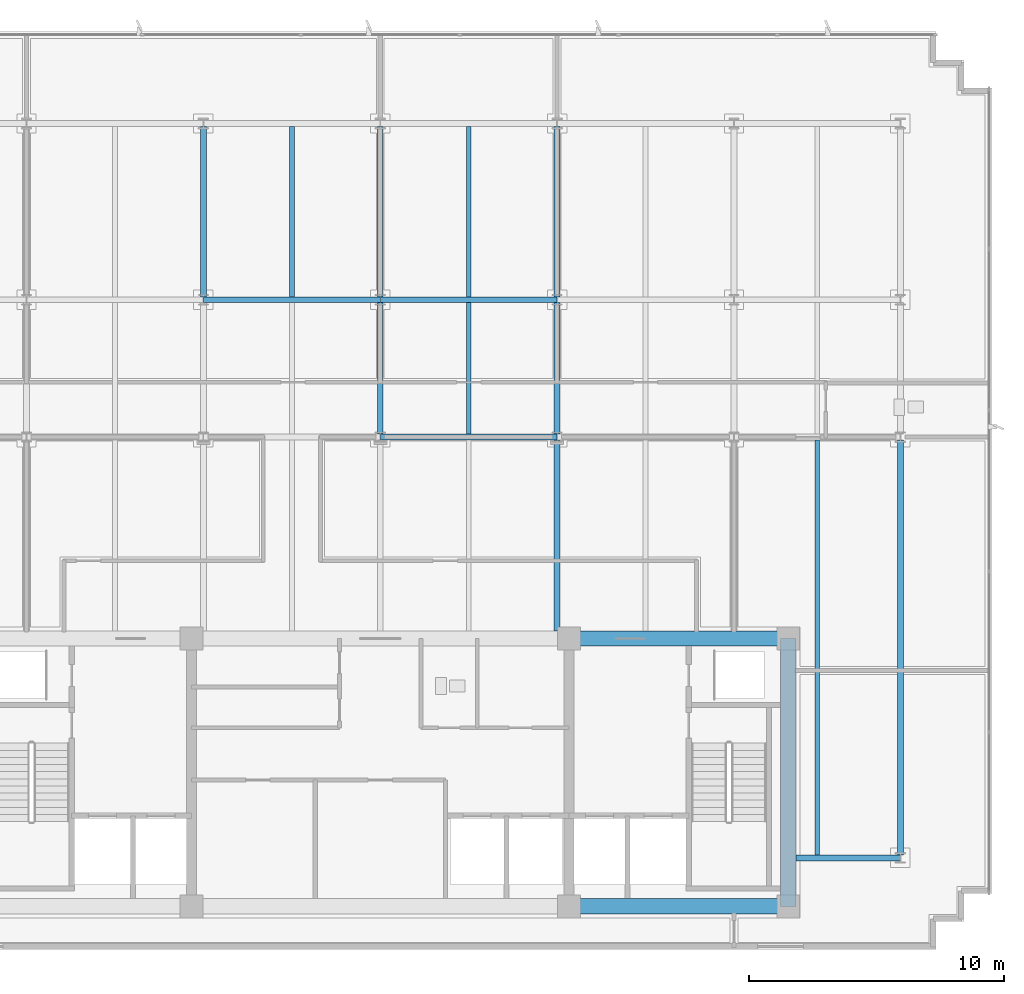
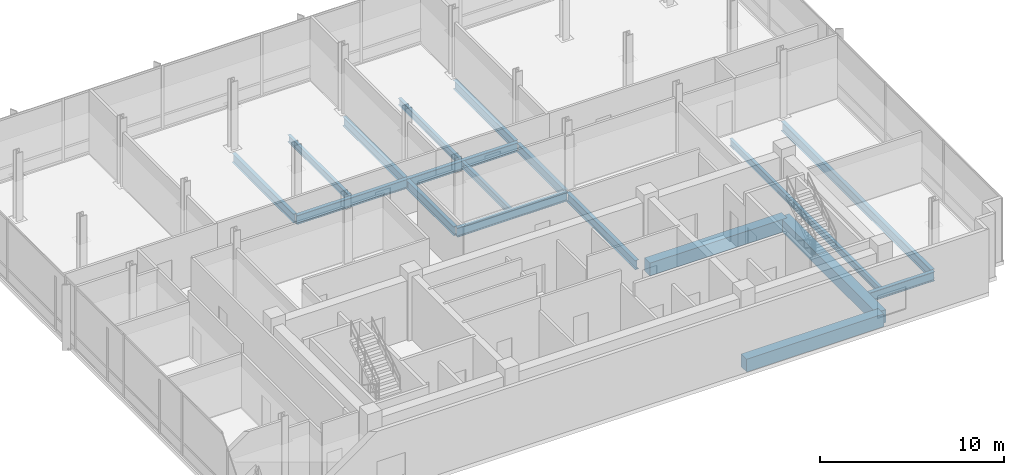
# One storey, part 5 of 17: 18 beams.
"""IFC4 building model written with IfcOpenShell, lengths in metres."""

from ifc_helpers import new_model, si_unit, direction, frame, origin, origin_2d, place, context, subcontext, project, spatial, rectangle, i_section, extrude, material, material_profile, profile_set, type_object, element, save


model = new_model("IFC4")

# Units and contexts
model_context = context("Model", 3, precision=1e-05, world=origin(), true_north=direction((0.0, 1.0)))
body_context = subcontext(model_context, "Body", "Model", "MODEL_VIEW")
ifc_project = project(units=[si_unit("LENGTHUNIT", "METRE"), si_unit("AREAUNIT", "SQUARE_METRE"), si_unit("VOLUMEUNIT", "CUBIC_METRE"), si_unit("PLANEANGLEUNIT", "RADIAN"), si_unit("MASSUNIT", "GRAM", prefix="KILO")], contexts=[model_context])

# Site, building, storey
site_placement = place(None, origin())
site = spatial("IfcSite", under=ifc_project, at=site_placement, CompositionType="ELEMENT")
building_placement = place(site_placement, origin())
building = spatial("IfcBuilding", under=site, at=building_placement, Name="Solmavex Isthmus Hotel", CompositionType="ELEMENT")
storey_placement = place(building_placement, frame((0.0, 0.0, 286.800048828125)))
storey = spatial("IfcBuildingStorey", under=building, at=storey_placement, Name="L78", CompositionType="ELEMENT", Elevation=286.800048828125)

# Beams
ifc_material_1 = material(Name="Steel ASTM A992 Grade 50", Category="steel")
ifc_material_profile_1 = material_profile(ifc_material_1, i_section(OverallWidth=0.1904296875, OverallDepth=0.456787109375, WebThickness=0.009033203125, FlangeThickness=0.014404296875, FilletRadius=0.0126953125, at=origin_2d()), Name="W18X50")
ifc_profile_set_1 = profile_set([ifc_material_profile_1], Name="Steel ASTM A992 Grade 50")
beam_type_1 = type_object("IfcBeamType", Name="BM-BJ-W18X50", PredefinedType="JOIST", material=ifc_profile_set_1)
beam_1_placement = place(storey_placement, frame((-3.468017578125, 10.90185546875, -0.488525390625), z_axis=(0.0, 1.0, 0.0), x_axis=(-1.0, 0.0, 0.0)))
element("IfcBeam", 1, at=beam_1_placement, inside=storey, type_object=beam_type_1, Name="Secondary Floor Joist L78-J09", PredefinedType="JOIST", context=body_context, shape_type="SweptSolid", body=[
    extrude(i_section(OverallWidth=0.1904296875, OverallDepth=0.456787109375, WebThickness=0.009033203125, FlangeThickness=0.014404296875, FilletRadius=0.0126953125, at=origin_2d()), origin(), (0.0, 0.0, 1.0), 6.682861328125),
])
beam_2_placement = place(storey_placement, frame((3.468017578125, 5.513916015625, -0.488525390625), z_axis=(0.0, 1.0, 0.0), x_axis=(-1.0, 0.0, 0.0)))
element("IfcBeam", 2, at=beam_2_placement, inside=storey, type_object=beam_type_1, Name="Secondary Floor Joist L78-J11", PredefinedType="JOIST", context=body_context, shape_type="SweptSolid", body=[
    extrude(i_section(OverallWidth=0.1904296875, OverallDepth=0.456787109375, WebThickness=0.009033203125, FlangeThickness=0.014404296875, FilletRadius=0.0126953125, at=origin_2d()), origin(), (0.0, 0.0, 1.0), 5.16015625),
])
beam_3_placement = place(storey_placement, frame((3.468017578125, 10.90185546875, -0.488525390625), z_axis=(0.0, 1.0, 0.0), x_axis=(-1.0, 0.0, 0.0)))
element("IfcBeam", 3, at=beam_3_placement, inside=storey, type_object=beam_type_1, Name="Secondary Floor Joist L78-J12", PredefinedType="JOIST", context=body_context, shape_type="SweptSolid", body=[
    extrude(i_section(OverallWidth=0.1904296875, OverallDepth=0.456787109375, WebThickness=0.009033203125, FlangeThickness=0.014404296875, FilletRadius=0.0126953125, at=origin_2d()), origin(), (0.0, 0.0, 1.0), 6.682861328125),
])
beam_4_placement = place(storey_placement, frame((17.135986328125, -10.98486328125, -0.488525390625), z_axis=(0.0, 1.0, 0.0), x_axis=(-1.0, 0.0, 0.0)))
element("IfcBeam", 4, at=beam_4_placement, inside=storey, type_object=beam_type_1, Name="Secondary Floor Joist L78-J16", PredefinedType="JOIST", context=body_context, shape_type="SweptSolid", body=[
    extrude(i_section(OverallWidth=0.1904296875, OverallDepth=0.456787109375, WebThickness=0.009033203125, FlangeThickness=0.014404296875, FilletRadius=0.0126953125, at=origin_2d()), origin(), (0.0, 0.0, 1.0), 16.27099609375),
])
ifc_material_profile_2 = material_profile(ifc_material_1, i_section(OverallWidth=0.227783203125, OverallDepth=0.602783203125, WebThickness=0.010498046875, FlangeThickness=0.014892578125, FilletRadius=0.01513671875, at=origin_2d()), Name="W24X68")
ifc_profile_set_2 = profile_set([ifc_material_profile_2], Name="Steel ASTM A992 Grade 50")
beam_type_2 = type_object("IfcBeamType", Name="BM-BM-W24X68", PredefinedType="BEAM", material=ifc_profile_set_2)
for number, where, z_axis, x_axis, name in (
    (5, (0.0, 5.39990234375, -0.561279296875), (1.0, 0.0, 0.0), (0.0, 1.0, 0.0), "Floor Girder L78-UG06"),
    (6, (-6.93603515625, 10.7880859375, -0.561279296875), (1.0, 0.0, 0.0), (0.0, 1.0, 0.0), "Floor Girder L78-UG11"),
    (7, (0.0, 10.7880859375, -0.561279296875), (1.0, 0.0, 0.0), (0.0, 1.0, 0.0), "Floor Girder L78-UG12"),
):
    element("IfcBeam", number, at=place(storey_placement, frame(where, z_axis=z_axis, x_axis=x_axis)), inside=storey, type_object=beam_type_2, Name=name, PredefinedType="BEAM", context=body_context, shape_type="SweptSolid", body=[
        extrude(i_section(OverallWidth=0.227783203125, OverallDepth=0.602783203125, WebThickness=0.010498046875, FlangeThickness=0.014892578125, FilletRadius=0.01513671875, at=origin_2d()), origin(), (0.0, 0.0, 1.0), 6.93603515625),
    ])
beam_5_placement = place(storey_placement, frame((-6.93603515625, 10.90185546875, -0.561279296875), z_axis=(0.0, 1.0, 0.0), x_axis=(-1.0, 0.0, 0.0)))
element("IfcBeam", 8, at=beam_5_placement, inside=storey, type_object=beam_type_2, Name="Floor Beam L78-VG29", PredefinedType="BEAM", context=body_context, shape_type="SweptSolid", body=[
    extrude(i_section(OverallWidth=0.227783203125, OverallDepth=0.602783203125, WebThickness=0.010498046875, FlangeThickness=0.014892578125, FilletRadius=0.01513671875, at=origin_2d()), origin(), (0.0, 0.0, 1.0), 6.682861328125),
])
beam_6_placement = place(storey_placement, frame((0.0, 5.513916015625, -0.561279296875), z_axis=(0.0, 1.0, 0.0), x_axis=(-1.0, 0.0, 0.0)))
element("IfcBeam", 9, at=beam_6_placement, inside=storey, type_object=beam_type_2, Name="Floor Beam L78-VG31", PredefinedType="BEAM", context=body_context, shape_type="SweptSolid", body=[
    extrude(i_section(OverallWidth=0.227783203125, OverallDepth=0.602783203125, WebThickness=0.010498046875, FlangeThickness=0.014892578125, FilletRadius=0.01513671875, at=origin_2d()), origin(), (0.0, 0.0, 1.0), 5.16015625),
])
beam_7_placement = place(storey_placement, frame((0.0, 10.90185546875, -0.561279296875), z_axis=(0.0, 1.0, 0.0), x_axis=(-1.0, 0.0, 0.0)))
element("IfcBeam", 10, at=beam_7_placement, inside=storey, type_object=beam_type_2, Name="Floor Beam L78-VG32", PredefinedType="BEAM", context=body_context, shape_type="SweptSolid", body=[
    extrude(i_section(OverallWidth=0.227783203125, OverallDepth=0.602783203125, WebThickness=0.010498046875, FlangeThickness=0.014892578125, FilletRadius=0.01513671875, at=origin_2d()), origin(), (0.0, 0.0, 1.0), 6.682861328125),
])
beam_8_placement = place(storey_placement, frame((6.93603515625, -2.199951171875, -0.561279296875), z_axis=(0.0, 1.0, 0.0), x_axis=(-1.0, 0.0, 0.0)))
element("IfcBeam", 11, at=beam_8_placement, inside=storey, type_object=beam_type_2, Name="Floor Beam L78-VG33", PredefinedType="BEAM", context=body_context, shape_type="SweptSolid", body=[
    extrude(i_section(OverallWidth=0.227783203125, OverallDepth=0.602783203125, WebThickness=0.010498046875, FlangeThickness=0.014892578125, FilletRadius=0.01513671875, at=origin_2d()), origin(), (0.0, 0.0, 1.0), 7.486083984375),
])
beam_9_placement = place(storey_placement, frame((6.93603515625, 5.513916015625, -0.561279296875), z_axis=(0.0, 1.0, 0.0), x_axis=(-1.0, 0.0, 0.0)))
element("IfcBeam", 12, at=beam_9_placement, inside=storey, type_object=beam_type_2, Name="Floor Beam L78-VG34", PredefinedType="BEAM", context=body_context, shape_type="SweptSolid", body=[
    extrude(i_section(OverallWidth=0.227783203125, OverallDepth=0.602783203125, WebThickness=0.010498046875, FlangeThickness=0.014892578125, FilletRadius=0.01513671875, at=origin_2d()), origin(), (0.0, 0.0, 1.0), 5.16015625),
])
beam_10_placement = place(storey_placement, frame((6.93603515625, 10.90185546875, -0.561279296875), z_axis=(0.0, 1.0, 0.0), x_axis=(-1.0, 0.0, 0.0)))
element("IfcBeam", 13, at=beam_10_placement, inside=storey, type_object=beam_type_2, Name="Floor Beam L78-VG35", PredefinedType="BEAM", context=body_context, shape_type="SweptSolid", body=[
    extrude(i_section(OverallWidth=0.227783203125, OverallDepth=0.602783203125, WebThickness=0.010498046875, FlangeThickness=0.014892578125, FilletRadius=0.01513671875, at=origin_2d()), origin(), (0.0, 0.0, 1.0), 6.682861328125),
])
ifc_material_2 = material(Name="Concrete C50/60", Category="concrete")
ifc_material_profile_3 = material_profile(ifc_material_2, rectangle(XDim=0.60009765625, YDim=0.85009765625, at=origin_2d()), Name="RC600X850")
ifc_profile_set_3 = profile_set([ifc_material_profile_3], Name="Concrete C50/60")
beam_type_3 = type_object("IfcBeamType", Name="BM-CB-600X850", PredefinedType="BEAM", material=ifc_profile_set_3)
for number, where, z_axis, x_axis, name in (
    (14, (7.39990234375, -13.0, -0.68505859375), (1.0, 0.0, 0.0), (0.0, 1.0, 0.0), "Core Coupling Beam L78-CB3"),
    (15, (7.39990234375, -2.5, -0.68505859375), (1.0, 0.0, 0.0), (0.0, 1.0, 0.0), "Core Coupling Beam L78-CB6"),
):
    element("IfcBeam", number, at=place(storey_placement, frame(where, z_axis=z_axis, x_axis=x_axis)), inside=storey, type_object=beam_type_3, Name=name, PredefinedType="BEAM", context=body_context, shape_type="SweptSolid", body=[
        extrude(rectangle(XDim=0.60009765625, YDim=0.85009765625, at=origin_2d()), origin(), (0.0, 0.0, 1.0), 8.60009765625),
    ])
beam_11_placement = place(storey_placement, frame((16.0, -13.0, -0.68505859375), z_axis=(0.0, 1.0, 0.0), x_axis=(-1.0, 0.0, 0.0)))
element("IfcBeam", 16, at=beam_11_placement, inside=storey, type_object=beam_type_3, Name="Core Coupling Beam L78-CB8", PredefinedType="BEAM", context=body_context, shape_type="SweptSolid", body=[
    extrude(rectangle(XDim=0.60009765625, YDim=0.85009765625, at=origin_2d()), origin(), (0.0, 0.0, 1.0), 10.5),
])
ifc_material_profile_4 = material_profile(ifc_material_1, i_section(OverallWidth=0.230224609375, OverallDepth=0.617431640625, WebThickness=0.01318359375, FlangeThickness=0.022216796875, FilletRadius=0.01513671875, at=origin_2d()), Name="W24X94")
ifc_profile_set_4 = profile_set([ifc_material_profile_4], Name="Steel ASTM A992 Grade 50")
beam_type_4 = type_object("IfcBeamType", Name="BM-SP-W24X94", PredefinedType="SPANDREL", material=ifc_profile_set_4)
beam_12_placement = place(storey_placement, frame((16.300048828125, -11.10009765625, -0.56884765625), z_axis=(1.0, 0.0, 0.0), x_axis=(0.0, 1.0, 0.0)))
element("IfcBeam", 17, at=beam_12_placement, inside=storey, type_object=beam_type_4, Name="Floor Girder L78-UG02", PredefinedType="SPANDREL", context=body_context, shape_type="SweptSolid", body=[
    extrude(i_section(OverallWidth=0.230224609375, OverallDepth=0.617431640625, WebThickness=0.01318359375, FlangeThickness=0.022216796875, FilletRadius=0.01513671875, at=origin_2d()), origin(), (0.0, 0.0, 1.0), 4.099853515625),
])
beam_13_placement = place(storey_placement, frame((20.39990234375, -10.98486328125, -0.56884765625), z_axis=(0.0, 1.0, 0.0), x_axis=(-1.0, 0.0, 0.0)))
element("IfcBeam", 18, at=beam_13_placement, inside=storey, type_object=beam_type_4, Name="Floor Beam L78-VG39", PredefinedType="SPANDREL", context=body_context, shape_type="SweptSolid", body=[
    extrude(i_section(OverallWidth=0.230224609375, OverallDepth=0.617431640625, WebThickness=0.01318359375, FlangeThickness=0.022216796875, FilletRadius=0.01513671875, at=origin_2d()), origin(), (0.0, 0.0, 1.0), 16.27099609375),
])

save(model, "model.ifc")
